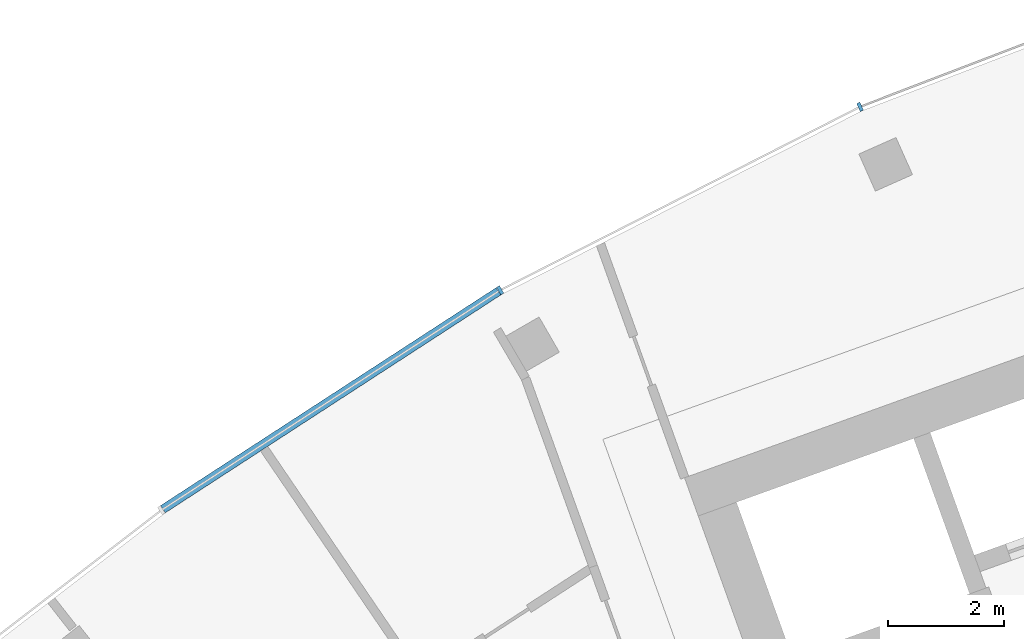
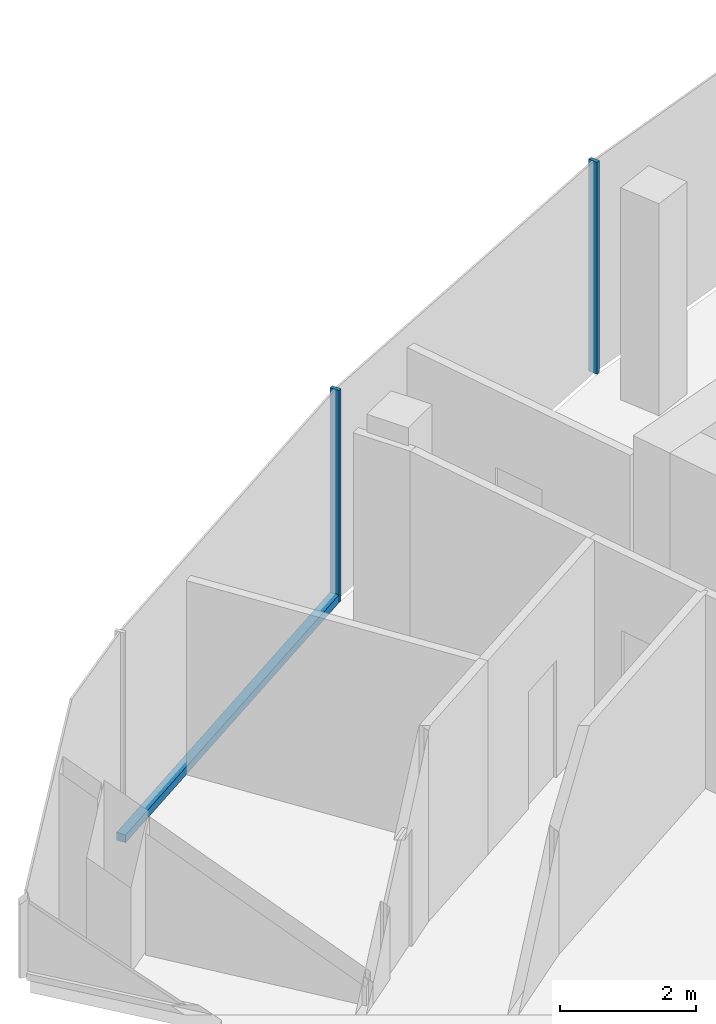
# One storey, part 4 of 18: 3 members, 1 element without a shape of its own.
"""IFC4 building model written with IfcOpenShell, lengths in metres."""

from ifc_helpers import new_model, si_unit, direction, frame, origin, origin_2d, place, context, subcontext, project, spatial, rectangle, extrude, material, layer, layer_set, material_profile, profile_set, type_object, element, aggregate, save


model = new_model("IFC4")

# Units and contexts
model_context = context("Model", 3, precision=1e-05, world=origin(), true_north=direction((0.0, 1.0)))
body_context = subcontext(model_context, "Body", "Model", "MODEL_VIEW")
ifc_project = project(units=[si_unit("LENGTHUNIT", "METRE"), si_unit("AREAUNIT", "SQUARE_METRE"), si_unit("VOLUMEUNIT", "CUBIC_METRE"), si_unit("PLANEANGLEUNIT", "RADIAN"), si_unit("MASSUNIT", "GRAM", prefix="KILO")], contexts=[model_context])

# Site, building, storey
site_placement = place(None, origin())
site = spatial("IfcSite", under=ifc_project, at=site_placement, CompositionType="ELEMENT")
building_placement = place(site_placement, origin())
building = spatial("IfcBuilding", under=site, at=building_placement, Name="Stone Belt Terrace Tower", CompositionType="ELEMENT")
storey_placement = place(building_placement, frame((0.0, 0.0, 265.60009765625)))
storey = spatial("IfcBuildingStorey", under=building, at=storey_placement, Name="L64", CompositionType="ELEMENT", Elevation=265.60009765625)

# Curtain wall, members
ifc_material = material(Name="Aluminium 6063-T6 anodised frame", Category="aluminium")
ifc_layer = layer(ifc_material, 0.14990234375)
ifc_layer_set = layer_set([ifc_layer], Name="CW-A unitised convex-face curtain wall")
curtain_wall_type = type_object("IfcCurtainWallType", Name="CW-A unitised convex-face curtain wall", PredefinedType="NOTDEFINED", material=ifc_layer_set)
curtain_wall_placement = place(storey_placement, origin())
curtain_wall = element("IfcCurtainWall", 1, at=curtain_wall_placement, inside=storey, type_object=curtain_wall_type, Name="CW-A convex face L64", PredefinedType="NOTDEFINED")
ifc_material_profile_1 = material_profile(ifc_material, rectangle(XDim=0.14990234375, YDim=0.06005859375, at=origin_2d()), Name="Aluminium 6063-T6 60x150")
ifc_profile_set_1 = profile_set([ifc_material_profile_1], Name="Aluminium 6063-T6 anodised frame")
member_type_1 = type_object("IfcMemberType", Name="CW-A mullion 60 x 150", PredefinedType="MULLION", material=ifc_profile_set_1)
member_1_placement = place(storey_placement, frame((-27.07861328125, 60.8193359375, 0.0), z_axis=(0.0, 0.0, 1.0), x_axis=(0.406736643076, -0.913545457643, 0.0)))
member_1 = element("IfcMember", 2, at=member_1_placement, type_object=member_type_1, Name="CW-A mullion 12", PredefinedType="MULLION", context=body_context, shape_type="SweptSolid", body=[
    extrude(rectangle(XDim=0.14990234375, YDim=0.06005859375, at=origin_2d()), origin(), (0.0, 0.0, 1.0), 3.7998046875),
])
member_2_placement = place(storey_placement, frame((-33.28759765625, 57.65576171875, 0.0), z_axis=(0.0, 0.0, 1.0), x_axis=(0.5, -0.866025403784, 0.0)))
member_2 = element("IfcMember", 3, at=member_2_placement, type_object=member_type_1, Name="CW-A mullion 13", PredefinedType="MULLION", context=body_context, shape_type="SweptSolid", body=[
    extrude(rectangle(XDim=0.14990234375, YDim=0.06005859375, at=origin_2d()), origin(), (0.0, 0.0, 1.0), 3.7998046875),
])
ifc_material_profile_2 = material_profile(ifc_material, rectangle(XDim=0.14990234375, YDim=0.139892578125, at=origin_2d()), Name="Aluminium 6063-T6 150x140")
ifc_profile_set_2 = profile_set([ifc_material_profile_2], Name="Aluminium 6063-T6 anodised frame")
member_type_2 = type_object("IfcMemberType", Name="CW-A transom 140 x 150", PredefinedType="USERDEFINED", material=ifc_profile_set_2)
member_3_placement = place(storey_placement, frame((-33.31591796875, 57.63720703125, 0.06982421875), z_axis=(-0.83868440714, -0.544617723931, 0.0), x_axis=(0.544617723931, -0.83868440714, 0.0)))
member_3 = element("IfcMember", 4, at=member_3_placement, type_object=member_type_2, Name="CW-A transom 13.1", ObjectType="TRANSOM", PredefinedType="USERDEFINED", context=body_context, shape_type="SweptSolid", body=[
    extrude(rectangle(XDim=0.14990234375, YDim=0.139892578125, at=origin_2d()), origin(), (0.0, 0.0, 1.0), 6.90087890625),
])
aggregate(curtain_wall, [member_1, member_2, member_3])

save(model, "model.ifc")
